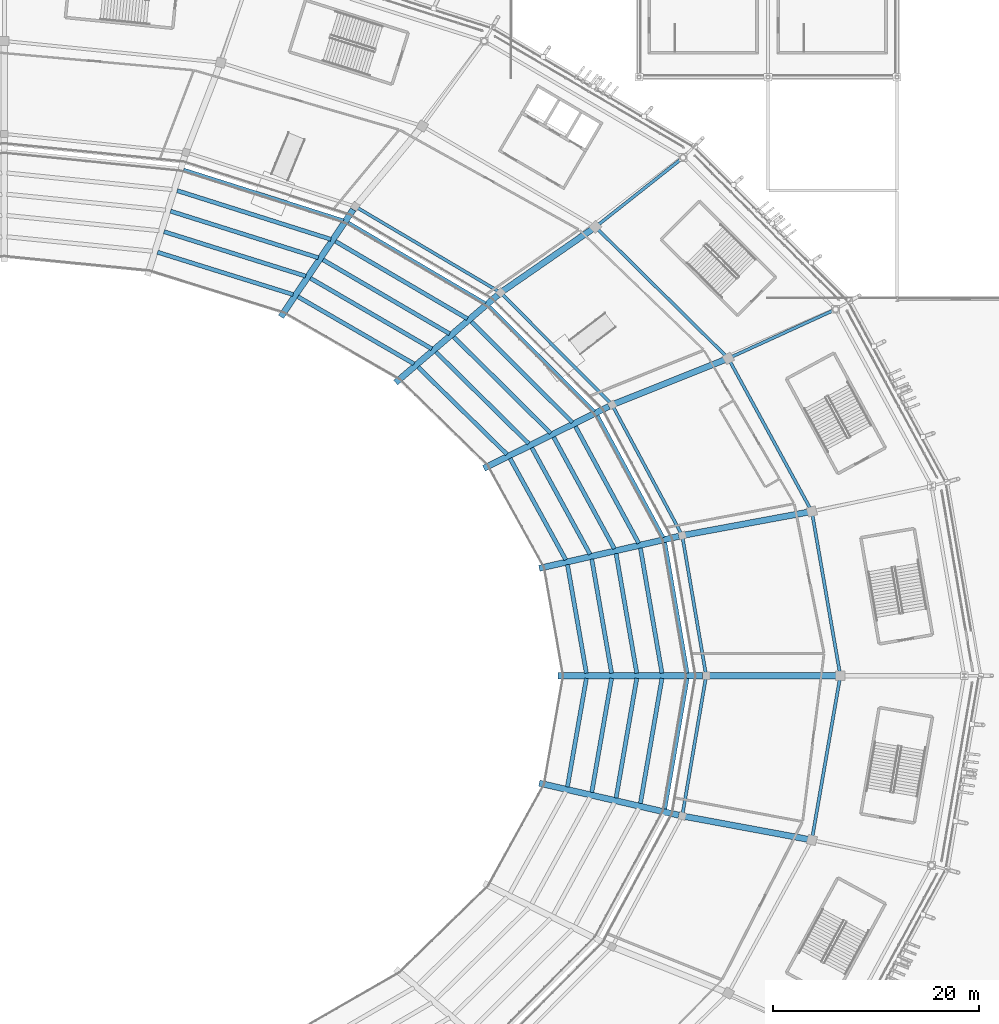
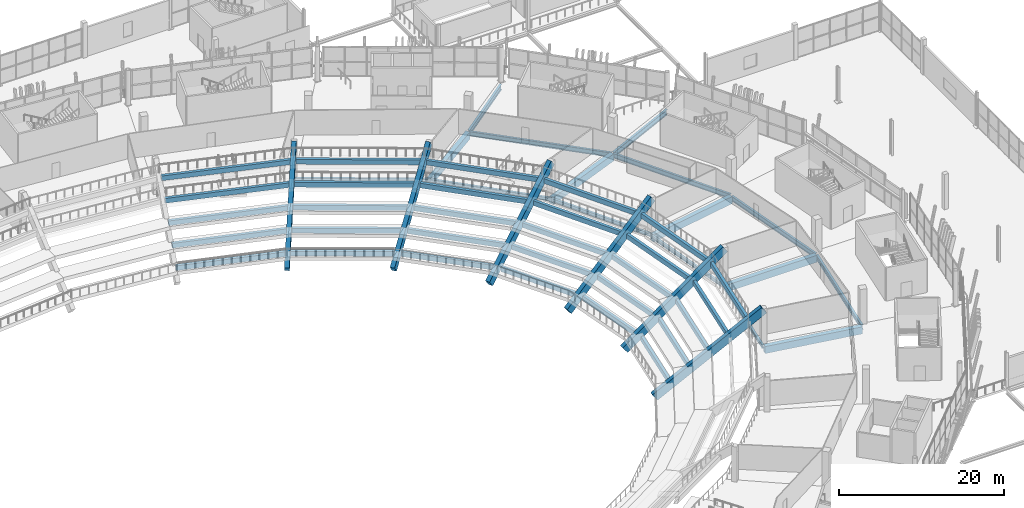
# One storey, part 62 of 178: 52 beams.
"""IFC4 building model written with IfcOpenShell, lengths in metres."""

from ifc_helpers import new_model, si_unit, direction, frame, origin, origin_2d, place, context, subcontext, project, spatial, rectangle, i_section, extrude, material, material_profile, profile_set, type_object, element, save


model = new_model("IFC4")

# Units and contexts
model_context = context("Model", 3, precision=1e-05, world=origin(), true_north=direction((0.0, 1.0)))
body_context = subcontext(model_context, "Body", "Model", "MODEL_VIEW")
ifc_project = project(units=[si_unit("LENGTHUNIT", "METRE"), si_unit("AREAUNIT", "SQUARE_METRE"), si_unit("VOLUMEUNIT", "CUBIC_METRE"), si_unit("PLANEANGLEUNIT", "RADIAN"), si_unit("MASSUNIT", "GRAM", prefix="KILO")], contexts=[model_context])

# Site, building, storey
site_placement = place(None, origin())
site = spatial("IfcSite", under=ifc_project, at=site_placement, CompositionType="ELEMENT")
building_placement = place(site_placement, origin())
building = spatial("IfcBuilding", under=site, at=building_placement, Name="Zlatoyarsky Gate Stadium", CompositionType="ELEMENT")
storey_placement = place(building_placement, frame((0.0, 0.0, 5.39990234375)))
storey = spatial("IfcBuildingStorey", under=building, at=storey_placement, Name="L01", CompositionType="ELEMENT", Elevation=5.39990234375)

# Beams
ifc_material_1 = material(Name="Concrete C40/50", Category="concrete")
ifc_material_profile_1 = material_profile(ifc_material_1, rectangle(XDim=0.39990234375, YDim=0.699951171875, at=origin_2d()), Name="RC BEAM 400X700")
ifc_profile_set_1 = profile_set([ifc_material_profile_1], Name="Concrete C40/50")
beam_type_1 = type_object("IfcBeamType", Name="CONCRETE FLOOR BEAM 400X700", PredefinedType="BEAM", material=ifc_profile_set_1)
beam_1_placement = place(storey_placement, frame((167.39697265625, 80.246337890625, -4.219970703125), z_axis=(-0.171988349508, 0.985098983673, 0.0), x_axis=(-0.985098983673, -0.171988349508, 0.0)))
element("IfcBeam", 1, at=beam_1_placement, inside=storey, type_object=beam_type_1, Name="Lower bowl step tie beam 00.1", PredefinedType="BEAM", context=body_context, shape_type="SweptSolid", body=[
    extrude(rectangle(XDim=0.39990234375, YDim=0.699951171875, at=origin_2d()), origin(), (0.0, 0.0, 1.0), 10.681884765625),
])
beam_2_placement = place(storey_placement, frame((169.837158203125, 80.246337890625, -2.31982421875), z_axis=(-0.171158457048, 0.985243514356, 0.0), x_axis=(-0.985243514356, -0.171158457048, 0.0)))
element("IfcBeam", 2, at=beam_2_placement, inside=storey, type_object=beam_type_1, Name="Lower bowl step tie beam 00.2", PredefinedType="BEAM", context=body_context, shape_type="SweptSolid", body=[
    extrude(rectangle(XDim=0.39990234375, YDim=0.699951171875, at=origin_2d()), origin(), (0.0, 0.0, 1.0), 11.221435546875),
])
beam_3_placement = place(storey_placement, frame((172.27734375, 80.246337890625, -0.419921875), z_axis=(-0.170404613839, 0.985374176434, 0.0), x_axis=(-0.985374176434, -0.170404613839, 0.0)))
element("IfcBeam", 3, at=beam_3_placement, inside=storey, type_object=beam_type_1, Name="Lower bowl step tie beam 00.3", PredefinedType="BEAM", context=body_context, shape_type="SweptSolid", body=[
    extrude(rectangle(XDim=0.39990234375, YDim=0.699951171875, at=origin_2d()), origin(), (0.0, 0.0, 1.0), 11.76123046875),
])
beam_4_placement = place(storey_placement, frame((174.717529296875, 80.246337890625, 1.47998046875), z_axis=(-0.169720145264, 0.985492299458, 0.0), x_axis=(-0.985492299458, -0.169720145264, 0.0)))
element("IfcBeam", 4, at=beam_4_placement, inside=storey, type_object=beam_type_1, Name="Lower bowl step tie beam 00.4", PredefinedType="BEAM", context=body_context, shape_type="SweptSolid", body=[
    extrude(rectangle(XDim=0.39990234375, YDim=0.699951171875, at=origin_2d()), origin(), (0.0, 0.0, 1.0), 12.300537109375),
])
beam_5_placement = place(storey_placement, frame((177.15771484375, 80.246337890625, 3.380126953125), z_axis=(-0.169089944294, 0.98560062436, 0.0), x_axis=(-0.98560062436, -0.169089944294, 0.0)))
element("IfcBeam", 5, at=beam_5_placement, inside=storey, type_object=beam_type_1, Name="Lower bowl step tie beam 00.5", PredefinedType="BEAM", context=body_context, shape_type="SweptSolid", body=[
    extrude(rectangle(XDim=0.39990234375, YDim=0.699951171875, at=origin_2d()), origin(), (0.0, 0.0, 1.0), 12.840087890625),
])
beam_6_placement = place(storey_placement, frame((165.396484375, 91.234375, -4.219970703125), z_axis=(-0.48145139023, 0.876472794127, 0.0), x_axis=(-0.876472794127, -0.48145139023, 0.0)))
element("IfcBeam", 6, at=beam_6_placement, inside=storey, type_object=beam_type_1, Name="Lower bowl step tie beam 01.1", PredefinedType="BEAM", context=body_context, shape_type="SweptSolid", body=[
    extrude(rectangle(XDim=0.39990234375, YDim=0.699951171875, at=origin_2d()), origin(), (0.0, 0.0, 1.0), 11.21142578125),
])
beam_7_placement = place(storey_placement, frame((167.75390625, 91.767822265625, -2.31982421875), z_axis=(-0.479621127395, 0.877475682943, 0.0), x_axis=(-0.877475682943, -0.479621127395, 0.0)))
element("IfcBeam", 7, at=beam_7_placement, inside=storey, type_object=beam_type_1, Name="Lower bowl step tie beam 01.2", PredefinedType="BEAM", context=body_context, shape_type="SweptSolid", body=[
    extrude(rectangle(XDim=0.39990234375, YDim=0.699951171875, at=origin_2d()), origin(), (0.0, 0.0, 1.0), 11.76416015625),
])
beam_8_placement = place(storey_placement, frame((170.111083984375, 92.30126953125, -0.419921875), z_axis=(-0.477953351943, 0.878385219233, 0.0), x_axis=(-0.878385219233, -0.477953351943, 0.0)))
element("IfcBeam", 8, at=beam_8_placement, inside=storey, type_object=beam_type_1, Name="Lower bowl step tie beam 01.3", PredefinedType="BEAM", context=body_context, shape_type="SweptSolid", body=[
    extrude(rectangle(XDim=0.39990234375, YDim=0.699951171875, at=origin_2d()), origin(), (0.0, 0.0, 1.0), 12.317138671875),
])
beam_9_placement = place(storey_placement, frame((172.46826171875, 92.834716796875, 1.47998046875), z_axis=(-0.476412699591, 0.879221780706, 0.0), x_axis=(-0.879221780706, -0.476412699591, 0.0)))
element("IfcBeam", 9, at=beam_9_placement, inside=storey, type_object=beam_type_1, Name="Lower bowl step tie beam 01.4", PredefinedType="BEAM", context=body_context, shape_type="SweptSolid", body=[
    extrude(rectangle(XDim=0.39990234375, YDim=0.699951171875, at=origin_2d()), origin(), (0.0, 0.0, 1.0), 12.869873046875),
])
beam_10_placement = place(storey_placement, frame((174.82568359375, 93.367919921875, 3.380126953125), z_axis=(-0.47500414589, 0.879983557453, 0.0), x_axis=(-0.879983557453, -0.47500414589, 0.0)))
element("IfcBeam", 10, at=beam_10_placement, inside=storey, type_object=beam_type_1, Name="Lower bowl step tie beam 01.5", PredefinedType="BEAM", context=body_context, shape_type="SweptSolid", body=[
    extrude(rectangle(XDim=0.39990234375, YDim=0.699951171875, at=origin_2d()), origin(), (0.0, 0.0, 1.0), 13.423095703125),
])
beam_11_placement = place(storey_placement, frame((159.7001953125, 101.455078125, -4.219970703125), z_axis=(-0.713236238692, 0.700923724678, 0.0), x_axis=(-0.700923724678, -0.713236238692, 0.0)))
element("IfcBeam", 11, at=beam_11_placement, inside=storey, type_object=beam_type_1, Name="Lower bowl step tie beam 02.1", PredefinedType="BEAM", context=body_context, shape_type="SweptSolid", body=[
    extrude(rectangle(XDim=0.39990234375, YDim=0.699951171875, at=origin_2d()), origin(), (0.0, 0.0, 1.0), 12.07568359375),
])
beam_12_placement = place(storey_placement, frame((161.813720703125, 102.485595703125, -2.31982421875), z_axis=(-0.711502534013, 0.70268353054, 0.0), x_axis=(-0.70268353054, -0.711502534013, 0.0)))
element("IfcBeam", 12, at=beam_12_placement, inside=storey, type_object=beam_type_1, Name="Lower bowl step tie beam 02.2", PredefinedType="BEAM", context=body_context, shape_type="SweptSolid", body=[
    extrude(rectangle(XDim=0.39990234375, YDim=0.699951171875, at=origin_2d()), origin(), (0.0, 0.0, 1.0), 12.6513671875),
])
beam_13_placement = place(storey_placement, frame((163.92724609375, 103.51611328125, -0.419921875), z_axis=(-0.709916034949, 0.704286321976, 0.0), x_axis=(-0.704286321976, -0.709916034949, 0.0)))
element("IfcBeam", 13, at=beam_13_placement, inside=storey, type_object=beam_type_1, Name="Lower bowl step tie beam 02.3", PredefinedType="BEAM", context=body_context, shape_type="SweptSolid", body=[
    extrude(rectangle(XDim=0.39990234375, YDim=0.699951171875, at=origin_2d()), origin(), (0.0, 0.0, 1.0), 13.226806640625),
])
beam_14_placement = place(storey_placement, frame((166.040771484375, 104.54638671875, 1.47998046875), z_axis=(-0.708440933022, 0.705770107343, 0.0), x_axis=(-0.705770107343, -0.708440933022, 0.0)))
element("IfcBeam", 14, at=beam_14_placement, inside=storey, type_object=beam_type_1, Name="Lower bowl step tie beam 02.4", PredefinedType="BEAM", context=body_context, shape_type="SweptSolid", body=[
    extrude(rectangle(XDim=0.39990234375, YDim=0.699951171875, at=origin_2d()), origin(), (0.0, 0.0, 1.0), 13.802978515625),
])
beam_15_placement = place(storey_placement, frame((168.154052734375, 105.576904296875, 3.380126953125), z_axis=(-0.707089801183, 0.707123760782, 0.0), x_axis=(-0.707123760782, -0.707089801183, 0.0)))
element("IfcBeam", 15, at=beam_15_placement, inside=storey, type_object=beam_type_1, Name="Lower bowl step tie beam 02.5", PredefinedType="BEAM", context=body_context, shape_type="SweptSolid", body=[
    extrude(rectangle(XDim=0.39990234375, YDim=0.699951171875, at=origin_2d()), origin(), (0.0, 0.0, 1.0), 14.37841796875),
])
beam_16_placement = place(storey_placement, frame((150.692626953125, 110.2197265625, -4.219970703125), z_axis=(-0.865547933929, 0.500826091644, 0.0), x_axis=(-0.500826091644, -0.865547933929, 0.0)))
element("IfcBeam", 16, at=beam_16_placement, inside=storey, type_object=beam_type_1, Name="Lower bowl step tie beam 03.1", PredefinedType="BEAM", context=body_context, shape_type="SweptSolid", body=[
    extrude(rectangle(XDim=0.39990234375, YDim=0.699951171875, at=origin_2d()), origin(), (0.0, 0.0, 1.0), 13.0048828125),
])
beam_17_placement = place(storey_placement, frame((152.418212890625, 111.6767578125, -2.31982421875), z_axis=(-0.864471827415, 0.502681270394, 0.0), x_axis=(-0.502681270394, -0.864471827415, 0.0)))
element("IfcBeam", 17, at=beam_17_placement, inside=storey, type_object=beam_type_1, Name="Lower bowl step tie beam 03.2", PredefinedType="BEAM", context=body_context, shape_type="SweptSolid", body=[
    extrude(rectangle(XDim=0.39990234375, YDim=0.699951171875, at=origin_2d()), origin(), (0.0, 0.0, 1.0), 13.606201171875),
])
beam_18_placement = place(storey_placement, frame((154.143798828125, 113.1337890625, -0.419921875), z_axis=(-0.863471478742, 0.504397665934, 0.0), x_axis=(-0.504397665934, -0.863471478742, 0.0)))
element("IfcBeam", 18, at=beam_18_placement, inside=storey, type_object=beam_type_1, Name="Lower bowl step tie beam 03.3", PredefinedType="BEAM", context=body_context, shape_type="SweptSolid", body=[
    extrude(rectangle(XDim=0.39990234375, YDim=0.699951171875, at=origin_2d()), origin(), (0.0, 0.0, 1.0), 14.20751953125),
])
beam_19_placement = place(storey_placement, frame((155.869384765625, 114.5908203125, 1.47998046875), z_axis=(-0.862560784117, 0.505953450136, 0.0), x_axis=(-0.505953450136, -0.862560784117, 0.0)))
element("IfcBeam", 19, at=beam_19_placement, inside=storey, type_object=beam_type_1, Name="Lower bowl step tie beam 03.4", PredefinedType="BEAM", context=body_context, shape_type="SweptSolid", body=[
    extrude(rectangle(XDim=0.39990234375, YDim=0.699951171875, at=origin_2d()), origin(), (0.0, 0.0, 1.0), 14.80908203125),
])
beam_20_placement = place(storey_placement, frame((157.59521484375, 116.0478515625, 3.380126953125), z_axis=(-0.861715848075, 0.507391167815, 0.0), x_axis=(-0.507391167815, -0.861715848075, 0.0)))
element("IfcBeam", 20, at=beam_20_placement, inside=storey, type_object=beam_type_1, Name="Lower bowl step tie beam 03.5", PredefinedType="BEAM", context=body_context, shape_type="SweptSolid", body=[
    extrude(rectangle(XDim=0.39990234375, YDim=0.699951171875, at=origin_2d()), origin(), (0.0, 0.0, 1.0), 15.410888671875),
])
beam_21_placement = place(storey_placement, frame((138.9814453125, 116.9326171875, -4.219970703125), z_axis=(-0.954521007749, 0.298143666318, 0.0), x_axis=(-0.298143666318, -0.954521007749, 0.0)))
element("IfcBeam", 21, at=beam_21_placement, inside=storey, type_object=beam_type_1, Name="Lower bowl step tie beam 04.1", PredefinedType="BEAM", context=body_context, shape_type="SweptSolid", body=[
    extrude(rectangle(XDim=0.39990234375, YDim=0.699951171875, at=origin_2d()), origin(), (0.0, 0.0, 1.0), 13.760986328125),
])
beam_22_placement = place(storey_placement, frame((140.201416015625, 118.717041015625, -2.31982421875), z_axis=(-0.954103512777, 0.299477022334, 0.0), x_axis=(-0.299477022334, -0.954103512777, 0.0)))
element("IfcBeam", 22, at=beam_22_placement, inside=storey, type_object=beam_type_1, Name="Lower bowl step tie beam 04.2", PredefinedType="BEAM", context=body_context, shape_type="SweptSolid", body=[
    extrude(rectangle(XDim=0.39990234375, YDim=0.699951171875, at=origin_2d()), origin(), (0.0, 0.0, 1.0), 14.3837890625),
])
beam_23_placement = place(storey_placement, frame((141.421630859375, 120.501220703125, -0.419921875), z_axis=(-0.953712640606, 0.300719469187, 0.0), x_axis=(-0.300719469187, -0.953712640606, 0.0)))
element("IfcBeam", 23, at=beam_23_placement, inside=storey, type_object=beam_type_1, Name="Lower bowl step tie beam 04.3", PredefinedType="BEAM", context=body_context, shape_type="SweptSolid", body=[
    extrude(rectangle(XDim=0.39990234375, YDim=0.699951171875, at=origin_2d()), origin(), (0.0, 0.0, 1.0), 15.007080078125),
])
beam_24_placement = place(storey_placement, frame((142.6416015625, 122.28564453125, 1.47998046875), z_axis=(-0.953354587106, 0.301852664796, 0.0), x_axis=(-0.301852664796, -0.953354587106, 0.0)))
element("IfcBeam", 24, at=beam_24_placement, inside=storey, type_object=beam_type_1, Name="Lower bowl step tie beam 04.4", PredefinedType="BEAM", context=body_context, shape_type="SweptSolid", body=[
    extrude(rectangle(XDim=0.39990234375, YDim=0.699951171875, at=origin_2d()), origin(), (0.0, 0.0, 1.0), 15.630126953125),
])
beam_25_placement = place(storey_placement, frame((143.86181640625, 124.06982421875, 3.380126953125), z_axis=(-0.953014117484, 0.30292588512, 0.0), x_axis=(-0.30292588512, -0.953014117484, 0.0)))
element("IfcBeam", 25, at=beam_25_placement, inside=storey, type_object=beam_type_1, Name="Lower bowl step tie beam 04.5", PredefinedType="BEAM", context=body_context, shape_type="SweptSolid", body=[
    extrude(rectangle(XDim=0.39990234375, YDim=0.699951171875, at=origin_2d()), origin(), (0.0, 0.0, 1.0), 16.25341796875),
])
beam_26_placement = place(storey_placement, frame((165.559814453125, 69.23095703125, -4.219970703125), z_axis=(0.171988349508, 0.985098983673, 0.0), x_axis=(-0.985098983673, 0.171988349508, 0.0)))
element("IfcBeam", 26, at=beam_26_placement, inside=storey, type_object=beam_type_1, Name="Lower bowl step tie beam 23.1", PredefinedType="BEAM", context=body_context, shape_type="SweptSolid", body=[
    extrude(rectangle(XDim=0.39990234375, YDim=0.699951171875, at=origin_2d()), origin(), (0.0, 0.0, 1.0), 10.681884765625),
])
beam_27_placement = place(storey_placement, frame((167.91650390625, 68.69775390625, -2.31982421875), z_axis=(0.171158457048, 0.985243514356, 0.0), x_axis=(-0.985243514356, 0.171158457048, 0.0)))
element("IfcBeam", 27, at=beam_27_placement, inside=storey, type_object=beam_type_1, Name="Lower bowl step tie beam 23.2", PredefinedType="BEAM", context=body_context, shape_type="SweptSolid", body=[
    extrude(rectangle(XDim=0.39990234375, YDim=0.699951171875, at=origin_2d()), origin(), (0.0, 0.0, 1.0), 11.221435546875),
])
beam_28_placement = place(storey_placement, frame((170.273193359375, 68.16455078125, -0.419921875), z_axis=(0.170404613839, 0.985374176434, 0.0), x_axis=(-0.985374176434, 0.170404613839, 0.0)))
element("IfcBeam", 28, at=beam_28_placement, inside=storey, type_object=beam_type_1, Name="Lower bowl step tie beam 23.3", PredefinedType="BEAM", context=body_context, shape_type="SweptSolid", body=[
    extrude(rectangle(XDim=0.39990234375, YDim=0.699951171875, at=origin_2d()), origin(), (0.0, 0.0, 1.0), 11.76123046875),
])
beam_29_placement = place(storey_placement, frame((172.6298828125, 67.631591796875, 1.47998046875), z_axis=(0.169720145264, 0.985492299458, 0.0), x_axis=(-0.985492299458, 0.169720145264, 0.0)))
element("IfcBeam", 29, at=beam_29_placement, inside=storey, type_object=beam_type_1, Name="Lower bowl step tie beam 23.4", PredefinedType="BEAM", context=body_context, shape_type="SweptSolid", body=[
    extrude(rectangle(XDim=0.39990234375, YDim=0.699951171875, at=origin_2d()), origin(), (0.0, 0.0, 1.0), 12.300537109375),
])
beam_30_placement = place(storey_placement, frame((174.986572265625, 67.098388671875, 3.380126953125), z_axis=(0.169089944294, 0.98560062436, 0.0), x_axis=(-0.98560062436, 0.169089944294, 0.0)))
element("IfcBeam", 30, at=beam_30_placement, inside=storey, type_object=beam_type_1, Name="Lower bowl step tie beam 23.5", PredefinedType="BEAM", context=body_context, shape_type="SweptSolid", body=[
    extrude(rectangle(XDim=0.39990234375, YDim=0.699951171875, at=origin_2d()), origin(), (0.0, 0.0, 1.0), 12.840087890625),
])
ifc_material_profile_2 = material_profile(ifc_material_1, rectangle(XDim=0.60009765625, YDim=1.050048828125, at=origin_2d()), Name="RC GIRDER 600X1050")
ifc_profile_set_2 = profile_set([ifc_material_profile_2], Name="Concrete C40/50")
beam_type_2 = type_object("IfcBeamType", Name="CONCRETE PRIMARY GIRDER 600X1050", PredefinedType="T_BEAM", material=ifc_profile_set_2)
beam_31_placement = place(storey_placement, frame((179.1201171875, 80.0, -0.98486328125), z_axis=(1.0, 0.0, 0.0), x_axis=(0.0, 1.0, 0.0)))
element("IfcBeam", 31, at=beam_31_placement, inside=storey, type_object=beam_type_2, Name="Beam G-RC105 BM-L01-RAB-00", PredefinedType="T_BEAM", context=body_context, shape_type="SweptSolid", body=[
    extrude(rectangle(XDim=0.60009765625, YDim=1.050048828125, at=origin_2d()), origin(), (0.0, 0.0, 1.0), 12.759765625),
])
beam_32_placement = place(storey_placement, frame((176.801025390625, 93.60986328125, -0.98486328125), z_axis=(0.98322524088, 0.182395519946, 0.0), x_axis=(-0.182395519946, 0.98322524088, 0.0)))
element("IfcBeam", 32, at=beam_32_placement, inside=storey, type_object=beam_type_2, Name="Beam G-RC105 BM-L01-RAB-01", PredefinedType="T_BEAM", context=body_context, shape_type="SweptSolid", body=[
    extrude(rectangle(XDim=0.60009765625, YDim=1.050048828125, at=origin_2d()), origin(), (0.0, 0.0, 1.0), 12.53125),
])
beam_33_placement = place(storey_placement, frame((170.001220703125, 106.29443359375, -0.824951171875), z_axis=(0.928564503985, 0.371171068295, 0.0), x_axis=(-0.371171068295, 0.928564503985, 0.0)))
element("IfcBeam", 33, at=beam_33_placement, inside=storey, type_object=beam_type_2, Name="Beam G-RC105 BM-L01-RAB-02", PredefinedType="T_BEAM", context=body_context, shape_type="SweptSolid", body=[
    extrude(rectangle(XDim=0.60009765625, YDim=1.050048828125, at=origin_2d()), origin(), (0.0, 0.0, 1.0), 11.88427734375),
])
beam_34_placement = place(storey_placement, frame((159.181884765625, 117.19140625, -0.824951171875), z_axis=(0.822196208432, 0.569204176758, 0.0), x_axis=(-0.569204176758, 0.822196208432, 0.0)))
element("IfcBeam", 34, at=beam_34_placement, inside=storey, type_object=beam_type_2, Name="Beam G-RC105 BM-L01-RAB-03", PredefinedType="T_BEAM", context=body_context, shape_type="SweptSolid", body=[
    extrude(rectangle(XDim=0.60009765625, YDim=1.050048828125, at=origin_2d()), origin(), (0.0, 0.0, 1.0), 10.9404296875),
])
beam_35_placement = place(storey_placement, frame((176.801025390625, 66.39013671875, -0.98486328125), z_axis=(0.98322524088, -0.182395519946, 0.0), x_axis=(0.182395519946, 0.98322524088, 0.0)))
element("IfcBeam", 35, at=beam_35_placement, inside=storey, type_object=beam_type_2, Name="Beam G-RC105 BM-L01-RAB-23", PredefinedType="T_BEAM", context=body_context, shape_type="SweptSolid", body=[
    extrude(rectangle(XDim=0.60009765625, YDim=1.050048828125, at=origin_2d()), origin(), (0.0, 0.0, 1.0), 12.53125),
])
ifc_material_2 = material(Name="Precast concrete C40/50", Category="concrete")
ifc_material_profile_3 = material_profile(ifc_material_2, rectangle(XDim=0.60009765625, YDim=1.14990234375, at=origin_2d()), Name="PC RAKER 600X1150")
ifc_profile_set_3 = profile_set([ifc_material_profile_3], Name="Precast concrete C40/50")
beam_type_3 = type_object("IfcBeamType", Name="PRECAST LOWER BOWL RAKER 600X1150", PredefinedType="USERDEFINED", material=ifc_profile_set_3)
beam_36_placement = place(storey_placement, frame((165.0, 80.0, -5.14990234375), z_axis=(0.810981933771, 0.0, 0.585071194896), x_axis=(0.0, 1.0, 0.0)))
element("IfcBeam", 36, at=beam_36_placement, inside=storey, type_object=beam_type_3, Name="Lower bowl radial raker 00", ObjectType="RAKER", PredefinedType="USERDEFINED", context=body_context, shape_type="SweptSolid", body=[
    extrude(rectangle(XDim=0.60009765625, YDim=1.14990234375, at=origin_2d()), origin(), (0.0, 0.0, 1.0), 17.262939453125),
])
beam_37_placement = place(storey_placement, frame((163.159912109375, 90.482177734375, -5.14990234375), z_axis=(0.78797312318, 0.180964526728, 0.588515248072), x_axis=(-0.22383133455, 0.97462789498, 0.0)))
element("IfcBeam", 37, at=beam_37_placement, inside=storey, type_object=beam_type_3, Name="Lower bowl radial raker 01", ObjectType="RAKER", PredefinedType="USERDEFINED", context=body_context, shape_type="SweptSolid", body=[
    extrude(rectangle(XDim=0.60009765625, YDim=1.14990234375, at=origin_2d()), origin(), (0.0, 0.0, 1.0), 17.162109375),
])
beam_38_placement = place(storey_placement, frame((157.765380859375, 100.25, -5.14990234375), z_axis=(0.718167235443, 0.355403193215, 0.598267826469), x_axis=(-0.443535350711, 0.896256878729, 0.0)))
element("IfcBeam", 38, at=beam_38_placement, inside=storey, type_object=beam_type_3, Name="Lower bowl radial raker 02", ObjectType="RAKER", PredefinedType="USERDEFINED", context=body_context, shape_type="SweptSolid", body=[
    extrude(rectangle(XDim=0.60009765625, YDim=1.14990234375, at=origin_2d()), origin(), (0.0, 0.0, 1.0), 16.88232421875),
])
beam_39_placement = place(storey_placement, frame((149.183837890625, 108.6376953125, -5.14990234375), z_axis=(0.600227386736, 0.514489075994, 0.612395358323), x_axis=(-0.650797541589, 0.759251315351, 0.0)))
element("IfcBeam", 39, at=beam_39_placement, inside=storey, type_object=beam_type_3, Name="Lower bowl radial raker 03", ObjectType="RAKER", PredefinedType="USERDEFINED", context=body_context, shape_type="SweptSolid", body=[
    extrude(rectangle(XDim=0.60009765625, YDim=1.14990234375, at=origin_2d()), origin(), (0.0, 0.0, 1.0), 16.49267578125),
])
beam_40_placement = place(storey_placement, frame((138.0, 115.073974609375, -5.14990234375), z_axis=(0.43494827472, 0.645732533831, 0.62757429287), x_axis=(-0.829396945455, 0.558659741586, 0.0)))
element("IfcBeam", 40, at=beam_40_placement, inside=storey, type_object=beam_type_3, Name="Lower bowl radial raker 04", ObjectType="RAKER", PredefinedType="USERDEFINED", context=body_context, shape_type="SweptSolid", body=[
    extrude(rectangle(XDim=0.60009765625, YDim=1.14990234375, at=origin_2d()), origin(), (0.0, 0.0, 1.0), 16.09375),
])
beam_41_placement = place(storey_placement, frame((163.159912109375, 69.517822265625, -5.14990234375), z_axis=(0.78797312318, -0.180964526728, 0.588515248072), x_axis=(0.22383133455, 0.97462789498, 0.0)))
element("IfcBeam", 41, at=beam_41_placement, inside=storey, type_object=beam_type_3, Name="Lower bowl radial raker 23", ObjectType="RAKER", PredefinedType="USERDEFINED", context=body_context, shape_type="SweptSolid", body=[
    extrude(rectangle(XDim=0.60009765625, YDim=1.14990234375, at=origin_2d()), origin(), (0.0, 0.0, 1.0), 17.162109375),
])
ifc_material_3 = material(Name="Steel S355", Category="steel")
ifc_material_profile_4 = material_profile(ifc_material_3, i_section(OverallWidth=0.300048828125, OverallDepth=0.5, WebThickness=0.014404296875, FlangeThickness=0.028076171875, FilletRadius=0.027099609375, at=origin_2d()), Name="HEB 500")
ifc_profile_set_4 = profile_set([ifc_material_profile_4], Name="Steel S355")
beam_type_4 = type_object("IfcBeamType", Name="STEEL PRIMARY GIRDER HEB 500", PredefinedType="BEAM", material=ifc_profile_set_4)
beam_42_placement = place(storey_placement, frame((178.979736328125, 80.118408203125, -0.7099609375), z_axis=(-0.168089694981, 0.985771705032, 0.0), x_axis=(-0.985771705032, -0.168089694981, 0.0)))
element("IfcBeam", 42, at=beam_42_placement, inside=storey, type_object=beam_type_4, Name="Beam G-HEB500 BM-L01-CRA-00", PredefinedType="BEAM", context=body_context, shape_type="SweptSolid", body=[
    extrude(i_section(OverallWidth=0.300048828125, OverallDepth=0.5, WebThickness=0.014404296875, FlangeThickness=0.028076171875, FilletRadius=0.027099609375, at=origin_2d()), origin(), (0.0, 0.0, 1.0), 13.5439453125),
])
beam_43_placement = place(storey_placement, frame((176.626220703125, 93.693603515625, -0.5498046875), z_axis=(-0.472766984781, 0.881187481812, 0.0), x_axis=(-0.881187481812, -0.472766984781, 0.0)))
element("IfcBeam", 43, at=beam_43_placement, inside=storey, type_object=beam_type_4, Name="Beam G-HEB500 BM-L01-CRA-01", PredefinedType="BEAM", context=body_context, shape_type="SweptSolid", body=[
    extrude(i_section(OverallWidth=0.300048828125, OverallDepth=0.5, WebThickness=0.014404296875, FlangeThickness=0.028076171875, FilletRadius=0.027099609375, at=origin_2d()), origin(), (0.0, 0.0, 1.0), 14.12939453125),
])
beam_44_placement = place(storey_placement, frame((169.80517578125, 106.335205078125, -0.5498046875), z_axis=(-0.704927331607, 0.709279533861, 0.0), x_axis=(-0.709279533861, -0.704927331607, 0.0)))
element("IfcBeam", 44, at=beam_44_placement, inside=storey, type_object=beam_type_4, Name="Beam G-HEB500 BM-L01-CRA-02", PredefinedType="BEAM", context=body_context, shape_type="SweptSolid", body=[
    extrude(i_section(OverallWidth=0.300048828125, OverallDepth=0.5, WebThickness=0.014404296875, FlangeThickness=0.028076171875, FilletRadius=0.027099609375, at=origin_2d()), origin(), (0.0, 0.0, 1.0), 15.08984375),
])
beam_45_placement = place(storey_placement, frame((158.97998046875, 117.184326171875, -0.5498046875), z_axis=(-0.860360371321, 0.50968620882, 0.0), x_axis=(-0.50968620882, -0.860360371321, 0.0)))
element("IfcBeam", 45, at=beam_45_placement, inside=storey, type_object=beam_type_4, Name="Beam G-HEB500 BM-L01-CRA-03", PredefinedType="BEAM", context=body_context, shape_type="SweptSolid", body=[
    extrude(i_section(OverallWidth=0.300048828125, OverallDepth=0.5, WebThickness=0.014404296875, FlangeThickness=0.028076171875, FilletRadius=0.027099609375, at=origin_2d()), origin(), (0.0, 0.0, 1.0), 16.12890625),
])
beam_46_placement = place(storey_placement, frame((176.703125, 66.5302734375, -0.7099609375), z_axis=(0.168089694981, 0.985771705032, 0.0), x_axis=(-0.985771705032, 0.168089694981, 0.0)))
element("IfcBeam", 46, at=beam_46_placement, inside=storey, type_object=beam_type_4, Name="Beam G-HEB500 BM-L01-CRA-23", PredefinedType="BEAM", context=body_context, shape_type="SweptSolid", body=[
    extrude(i_section(OverallWidth=0.300048828125, OverallDepth=0.5, WebThickness=0.014404296875, FlangeThickness=0.028076171875, FilletRadius=0.027099609375, at=origin_2d()), origin(), (0.0, 0.0, 1.0), 13.5439453125),
])
ifc_material_profile_5 = material_profile(ifc_material_3, i_section(OverallWidth=0.300048828125, OverallDepth=0.699951171875, WebThickness=0.01708984375, FlangeThickness=0.031982421875, FilletRadius=0.027099609375, at=origin_2d()), Name="HEB 700")
ifc_profile_set_5 = profile_set([ifc_material_profile_5], Name="Steel S355")
beam_type_5 = type_object("IfcBeamType", Name="STEEL PRIMARY GIRDER HEB 700", PredefinedType="BEAM", material=ifc_profile_set_5)
beam_47_placement = place(storey_placement, frame((191.9794921875, 80.1181640625, -0.809814453125), z_axis=(-0.170843315562, 0.985298209441, 0.0), x_axis=(-0.985298209441, -0.170843315562, 0.0)))
element("IfcBeam", 47, at=beam_47_placement, inside=storey, type_object=beam_type_5, Name="Beam G-HEB700 BM-L01-CRB-00", PredefinedType="BEAM", context=body_context, shape_type="SweptSolid", body=[
    extrude(i_section(OverallWidth=0.300048828125, OverallDepth=0.699951171875, WebThickness=0.01708984375, FlangeThickness=0.031982421875, FilletRadius=0.027099609375, at=origin_2d()), origin(), (0.0, 0.0, 1.0), 15.9150390625),
])
beam_48_placement = place(storey_placement, frame((189.1826171875, 96.022705078125, -0.64990234375), z_axis=(-0.478915800408, 0.877860840976, 0.0), x_axis=(-0.877860840976, -0.478915800408, 0.0)))
element("IfcBeam", 48, at=beam_48_placement, inside=storey, type_object=beam_type_5, Name="Beam G-HEB700 BM-L01-CRB-01", PredefinedType="BEAM", context=body_context, shape_type="SweptSolid", body=[
    extrude(i_section(OverallWidth=0.300048828125, OverallDepth=0.699951171875, WebThickness=0.01708984375, FlangeThickness=0.031982421875, FilletRadius=0.027099609375, at=origin_2d()), origin(), (0.0, 0.0, 1.0), 16.656494140625),
])
beam_49_placement = place(storey_placement, frame((181.062744140625, 110.83447265625, -0.64990234375), z_axis=(-0.710840510009, 0.703353232259, 0.0), x_axis=(-0.703353232259, -0.710840510009, 0.0)))
element("IfcBeam", 49, at=beam_49_placement, inside=storey, type_object=beam_type_5, Name="Beam G-HEB700 BM-L01-CRB-02", PredefinedType="BEAM", context=body_context, shape_type="SweptSolid", body=[
    extrude(i_section(OverallWidth=0.300048828125, OverallDepth=0.699951171875, WebThickness=0.01708984375, FlangeThickness=0.031982421875, FilletRadius=0.027099609375, at=origin_2d()), origin(), (0.0, 0.0, 1.0), 17.868896484375),
])
beam_50_placement = place(storey_placement, frame((189.260498046875, 64.20068359375, -0.809814453125), z_axis=(0.170843315562, 0.985298209441, 0.0), x_axis=(-0.985298209441, 0.170843315562, 0.0)))
element("IfcBeam", 50, at=beam_50_placement, inside=storey, type_object=beam_type_5, Name="Beam G-HEB700 BM-L01-CRB-23", PredefinedType="BEAM", context=body_context, shape_type="SweptSolid", body=[
    extrude(i_section(OverallWidth=0.300048828125, OverallDepth=0.699951171875, WebThickness=0.01708984375, FlangeThickness=0.031982421875, FilletRadius=0.027099609375, at=origin_2d()), origin(), (0.0, 0.0, 1.0), 15.9150390625),
])
ifc_material_profile_6 = material_profile(ifc_material_3, i_section(OverallWidth=0.300048828125, OverallDepth=0.800048828125, WebThickness=0.017578125, FlangeThickness=0.032958984375, FilletRadius=0.030029296875, at=origin_2d()), Name="HEB 800")
ifc_profile_set_6 = profile_set([ifc_material_profile_6], Name="Steel S355")
beam_type_6 = type_object("IfcBeamType", Name="STEEL PRIMARY GIRDER HEB 800", PredefinedType="BEAM", material=ifc_profile_set_6)
beam_51_placement = place(storey_placement, frame((181.257080078125, 110.7998046875, -0.699951171875), z_axis=(0.909498994842, 0.415706120213, 0.0), x_axis=(-0.415706120213, 0.909498994842, 0.0)))
element("IfcBeam", 51, at=beam_51_placement, inside=storey, type_object=beam_type_6, Name="Beam G-HEB800 BM-L01-RBC-02", PredefinedType="BEAM", context=body_context, shape_type="SweptSolid", body=[
    extrude(i_section(OverallWidth=0.300048828125, OverallDepth=0.800048828125, WebThickness=0.017578125, FlangeThickness=0.032958984375, FilletRadius=0.030029296875, at=origin_2d()), origin(), (0.0, 0.0, 1.0), 11.186767578125),
])
beam_52_placement = place(storey_placement, frame((168.36962890625, 123.5615234375, -0.699951171875), z_axis=(0.78404348542, 0.620705898933, 0.0), x_axis=(-0.620705898933, 0.78404348542, 0.0)))
element("IfcBeam", 52, at=beam_52_placement, inside=storey, type_object=beam_type_6, Name="Beam G-HEB800 BM-L01-RBC-03", PredefinedType="BEAM", context=body_context, shape_type="SweptSolid", body=[
    extrude(i_section(OverallWidth=0.300048828125, OverallDepth=0.800048828125, WebThickness=0.017578125, FlangeThickness=0.032958984375, FilletRadius=0.030029296875, at=origin_2d()), origin(), (0.0, 0.0, 1.0), 10.58251953125),
])

save(model, "model.ifc")
